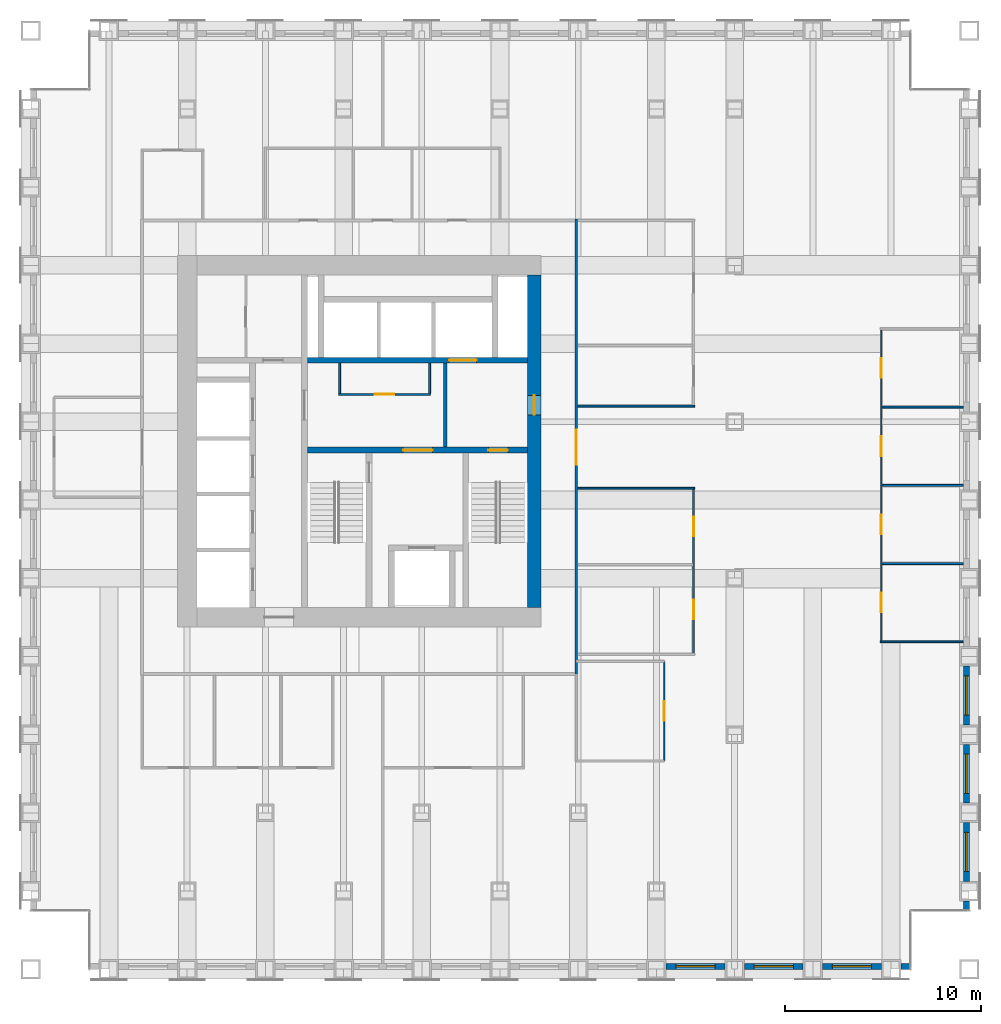
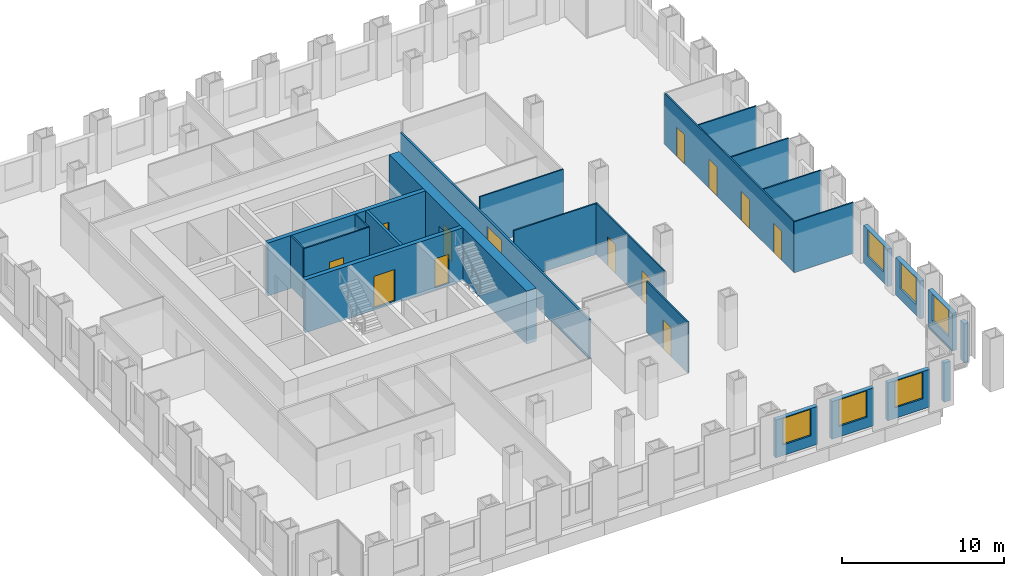
# One storey, part 12 of 16: 25 walls, 13 doors, 6 windows, 19 openings.
"""IFC4 building model written with IfcOpenShell, lengths in metres."""

import ifcopenshell
import ifcopenshell.guid

model = None  # the IFC model being written
_history = None  # IfcOwnerHistory: only IFC2X3 demands one
_inside = {}  # id of a spatial element -> (the spatial element, [elements in it])
_under = {}  # id of a project, library or spatial element -> (it, [spatial elements below it])
_declared = {}  # id of a project -> (the project, [libraries it declares])
_typed = {}  # id of a type object -> (the type object, [elements of that type])
_made_of = {}  # id of a material, layer set ... -> (it, [elements and type objects made of it])


def new_model(schema):
    """Start an empty IFC model of exactly this schema.

    Asked for "IFC4X3", IfcOpenShell would pick the latest addendum, in which some entities
    have other attributes; the version numbers below select the first issue.
    IFC2X3 requires an IfcOwnerHistory on every rooted entity: one is made here for all.
    """
    global model, _history
    if schema == "IFC4X3":
        model = ifcopenshell.file(schema_version=(4, 3, 0, 0))
    else:
        model = ifcopenshell.file(schema=schema)
    _inside.clear()
    _under.clear()
    _declared.clear()
    _typed.clear()
    _made_of.clear()
    _history = None
    if model.schema == "IFC2X3":
        org = make("IfcOrganization", Name="unknown")
        user = make(
            "IfcPersonAndOrganization",
            ThePerson=make("IfcPerson", FamilyName="unknown"),
            TheOrganization=org,
        )
        app = make(
            "IfcApplication",
            ApplicationDeveloper=org,
            Version="unknown",
            ApplicationFullName="unknown",
            ApplicationIdentifier="unknown",
        )
        _history = make(
            "IfcOwnerHistory",
            OwningUser=user,
            OwningApplication=app,
            ChangeAction="ADDED",
            CreationDate=0,
        )
    return model


def make(cls, **values):
    """One entity of the class cls with the attributes given. An attribute that is None is left unset."""
    return model.create_entity(
        cls, **{name: value for name, value in values.items() if value is not None}
    )


def rooted(cls, **values):
    """An entity with a GlobalId (a new one), such as an element, a storey or a relation."""
    return make(cls, GlobalId=ifcopenshell.guid.new(), OwnerHistory=_history, **values)


def si_unit(unit_type, name, prefix=None):
    """IfcSIUnit, for example si_unit("LENGTHUNIT", "METRE", prefix="MILLI")."""
    return make("IfcSIUnit", UnitType=unit_type, Prefix=prefix, Name=name)


def assignment(units):
    """IfcUnitAssignment: the units of a project."""
    return None if units is None else make("IfcUnitAssignment", Units=units)


def point(xyz):
    """IfcCartesianPoint."""
    return None if xyz is None else make("IfcCartesianPoint", Coordinates=xyz)


def direction(xyz):
    """IfcDirection."""
    return None if xyz is None else make("IfcDirection", DirectionRatios=xyz)


def frame(location, z_axis=None, x_axis=None):
    """IfcAxis2Placement3D, a coordinate frame: its origin and axes. An axis left out is left unset."""
    return make(
        "IfcAxis2Placement3D",
        Location=point(location),
        Axis=direction(z_axis),
        RefDirection=direction(x_axis),
    )


def frame_2d(location, x_axis=None):
    """IfcAxis2Placement2D, a coordinate frame in the plane: its origin and x axis."""
    return make(
        "IfcAxis2Placement2D", Location=point(location), RefDirection=direction(x_axis)
    )


def origin():
    """The frame at (0, 0, 0) with its axes left unset."""
    return frame((0.0, 0.0, 0.0))


def place(relative_to, where):
    """IfcLocalPlacement: puts the frame where relative to a parent placement (None: the world)."""
    return make(
        "IfcLocalPlacement", PlacementRelTo=relative_to, RelativePlacement=where
    )


def context(
    kind, dimensions, precision=None, world=None, true_north=None, identifier=None
):
    """IfcGeometricRepresentationContext, for example the 3D "Model" context."""
    return make(
        "IfcGeometricRepresentationContext",
        ContextIdentifier=identifier,
        ContextType=kind,
        CoordinateSpaceDimension=dimensions,
        Precision=precision,
        WorldCoordinateSystem=world,
        TrueNorth=true_north,
    )


def subcontext(parent, identifier, kind, view, scale=None):
    """IfcGeometricRepresentationSubContext, for example "Body" below "Model"."""
    return make(
        "IfcGeometricRepresentationSubContext",
        ContextIdentifier=identifier,
        ContextType=kind,
        ParentContext=parent,
        TargetScale=scale,
        TargetView=view,
    )


def project(units=None, contexts=None):
    """IfcProject with its units and contexts."""
    return rooted(
        "IfcProject",
        Name="project",
        RepresentationContexts=contexts,
        UnitsInContext=assignment(units),
    )


def spatial(cls, under=None, at=None, **own):
    """A site, building, storey or space (cls), placed at a placement, below another one or the project."""
    s = rooted(cls, ObjectPlacement=at, **own)
    if under is not None:
        _under.setdefault(under.id(), (under, []))[1].append(s)
    return s


def profile(cls, at=None, kind="AREA", **sizes):
    """A parametric profile (cls). Its sizes go by their IFC names, for example OverallWidth=200.0."""
    return make(cls, ProfileType=kind, Position=at, **sizes)


def rectangle(**sizes):
    """IfcRectangleProfileDef."""
    return profile("IfcRectangleProfileDef", **sizes)


def extrude(swept, where, along, depth):
    """IfcExtrudedAreaSolid: the profile swept, set in the frame where, extruded along a direction by depth."""
    return make(
        "IfcExtrudedAreaSolid",
        SweptArea=swept,
        Position=where,
        ExtrudedDirection=direction(along),
        Depth=depth,
    )


def shape(context_of_items, identifier, shape_type, items):
    """IfcShapeRepresentation: the items that make up one representation, for example the "Body"."""
    return make(
        "IfcShapeRepresentation",
        ContextOfItems=context_of_items,
        RepresentationIdentifier=identifier,
        RepresentationType=shape_type,
        Items=items,
    )


def material(Name=None, Category=None):
    """IfcMaterial."""
    return make("IfcMaterial", Name=Name, Category=Category)


def layer(
    of_material, thickness, ventilated=None, Name=None, Category=None, Priority=None
):
    """IfcMaterialLayer: one layer of a wall or slab, of a material (None: an air gap)."""
    return make(
        "IfcMaterialLayer",
        Material=of_material,
        LayerThickness=thickness,
        IsVentilated=ventilated,
        Name=Name,
        Category=Category,
        Priority=Priority,
    )


def layer_set(layers, Name=None):
    """IfcMaterialLayerSet."""
    return make("IfcMaterialLayerSet", MaterialLayers=layers, LayerSetName=Name)


def made_of(thing, what):
    """Note that an element or type object is made of a material, layer set ...; save() writes the relation."""
    if what is not None:
        _made_of.setdefault(what.id(), (what, []))[1].append(thing)
    return thing


def type_object(cls, material=None, **own):
    """A type object (cls), such as IfcWallType, which elements share."""
    return made_of(rooted(cls, **own), material)


def element(
    cls,
    number,
    at=None,
    inside=None,
    cuts=None,
    type_object=None,
    material=None,
    context=None,
    identifier="Body",
    shape_type=None,
    held_by="IfcProductDefinitionShape",
    body=None,
    shapes=None,
    **own,
):
    """One element of the class cls, such as IfcWall. Its Tag is "e" and its number.

    at: its placement. inside: the storey or other place that contains it. cuts: it is an
    opening in that element (IfcRelVoidsElement). A single representation is given by context,
    identifier, shape_type and body (its items); several are given by shapes. held_by: the class
    of the entity that holds the representations. save() writes the other relations.
    """
    e = rooted(cls, Tag="e%d" % number, ObjectPlacement=at, **own)
    if body is not None:
        shapes = [shape(context, identifier, shape_type, body)]
    if shapes is not None:
        e.Representation = make(held_by, Representations=shapes)
    if inside is not None:
        _inside.setdefault(inside.id(), (inside, []))[1].append(e)
    if cuts is not None:
        rooted(
            "IfcRelVoidsElement", RelatingBuildingElement=cuts, RelatedOpeningElement=e
        )
    if type_object is not None:
        _typed.setdefault(type_object.id(), (type_object, []))[1].append(e)
    return made_of(e, material)


def fill(opening, filler):
    """IfcRelFillsElement: the door or window that sits in an opening."""
    return rooted(
        "IfcRelFillsElement",
        RelatingOpeningElement=opening,
        RelatedBuildingElement=filler,
    )


def aggregate(whole, parts):
    """IfcRelAggregates: a whole, such as a stair, and the parts it consists of."""
    return rooted("IfcRelAggregates", RelatingObject=whole, RelatedObjects=parts)


def save(model, path):
    """Write the relations noted so far, then the file.

    IfcRelAggregates (storeys below a building ...), IfcRelContainedInSpatialStructure (elements
    in a storey), IfcRelDefinesByType, IfcRelAssociatesMaterial and IfcRelDeclares: one each for
    every whole, place, type object, material and project.
    """
    for whole, parts in _under.values():
        aggregate(whole, parts)
    for where, things in _inside.values():
        rooted(
            "IfcRelContainedInSpatialStructure",
            RelatedElements=things,
            RelatingStructure=where,
        )
    for kind, things in _typed.values():
        rooted("IfcRelDefinesByType", RelatedObjects=things, RelatingType=kind)
    for what, things in _made_of.values():
        rooted("IfcRelAssociatesMaterial", RelatedObjects=things, RelatingMaterial=what)
    for by, libraries in _declared.values():
        rooted("IfcRelDeclares", RelatingContext=by, RelatedDefinitions=libraries)
    model.write(path)


model = new_model("IFC4")

# Units and contexts
model_context = context("Model", 3, precision=1e-05, world=origin(), true_north=direction((0.0, 1.0)))
body_context = subcontext(model_context, "Body", "Model", "MODEL_VIEW")
ifc_project = project(units=[si_unit("LENGTHUNIT", "METRE"), si_unit("AREAUNIT", "SQUARE_METRE"), si_unit("VOLUMEUNIT", "CUBIC_METRE"), si_unit("PLANEANGLEUNIT", "RADIAN"), si_unit("MASSUNIT", "GRAM", prefix="KILO")], contexts=[model_context])

# Site, building, storey
site_placement = place(None, origin())
site = spatial("IfcSite", under=ifc_project, at=site_placement, CompositionType="ELEMENT")
building_placement = place(site_placement, origin())
building = spatial("IfcBuilding", under=site, at=building_placement, Name="Rimbunsela Tower", CompositionType="ELEMENT")
storey_placement = place(building_placement, frame((0.0, 0.0, 81.39990234375)))
storey = spatial("IfcBuildingStorey", under=building, at=storey_placement, Name="L19", CompositionType="ELEMENT", Elevation=81.39990234375)

# Wall, openings, doors
ifc_material_1 = material(Name="Concrete fc' 80 MPa", Category="concrete")
ifc_layer_1 = layer(ifc_material_1, 0.300048828125)
ifc_layer_set_1 = layer_set([ifc_layer_1], Name="Core internal wall 300")
wall_type_1 = type_object("IfcWallType", Name="Core internal wall 300", PredefinedType="SHEAR", material=ifc_layer_set_1)
wall_1_placement = place(storey_placement, frame((24.14990234375, 26.550048828125, -0.14990234375), z_axis=(0.0, 0.0, 1.0), x_axis=(1.0, 0.0, 0.0)))
wall_1 = element("IfcWall", 1, at=wall_1_placement, inside=storey, type_object=wall_type_1, Name="Core wall lobby south", PredefinedType="SHEAR", context=body_context, shape_type="SweptSolid", body=[
    extrude(rectangle(XDim=11.25, YDim=0.300048828125, at=frame_2d((5.625, 0.0))), origin(), (0.0, 0.0, 1.0), 4.0),
])
opening_1_placement = place(wall_1_placement, frame((9.25, 0.0, 0.14990234375)))
opening_1 = element("IfcOpeningElement", 2, at=opening_1_placement, cuts=wall_1, Name="Opening D01", PredefinedType="OPENING", context=body_context, shape_type="SweptSolid", body=[
    extrude(rectangle(XDim=1.0, YDim=2.199951171875, at=frame_2d((0.5, 1.10009765625))), frame((0.0, 0.159912109375, 0.0), z_axis=(0.0, -1.0, 0.0), x_axis=(1.0, 0.0, 0.0)), (0.0, 0.0, 1.0), 0.320068359375),
])
opening_2_placement = place(wall_1_placement, frame((4.89990234375, 0.0, 0.14990234375)))
opening_2 = element("IfcOpeningElement", 3, at=opening_2_placement, cuts=wall_1, Name="Opening D03", PredefinedType="OPENING", context=body_context, shape_type="SweptSolid", body=[
    extrude(rectangle(XDim=1.5, YDim=2.39990234375, at=frame_2d((0.75, 1.199951171875))), frame((0.0, 0.159912109375, 0.0), z_axis=(0.0, -1.0, 0.0), x_axis=(1.0, 0.0, 0.0)), (0.0, 0.0, 1.0), 0.320068359375),
])
ifc_material_2 = material(Name="Steel door, fire rated", Category="steel")
door_type_1 = type_object("IfcDoorType", Name="Core lobby door 1500", OperationType="DOUBLE_DOOR_DOUBLE_SWING", PredefinedType="DOOR", material=ifc_material_2)
door_1_placement = place(opening_2_placement, origin())
door_1 = element("IfcDoor", 4, at=door_1_placement, inside=storey, type_object=door_type_1, Name="Firefighting lobby door", OperationType="DOUBLE_DOOR_DOUBLE_SWING", OverallHeight=2.39990234375, OverallWidth=1.5, PredefinedType="DOOR", context=body_context, shape_type="SweptSolid", body=[
    extrude(rectangle(XDim=1.5, YDim=2.39990234375, at=frame_2d((0.75, 1.199951171875))), frame((0.0, 0.02490234375, 0.0), z_axis=(0.0, -1.0, 0.0), x_axis=(1.0, 0.0, 0.0)), (0.0, 0.0, 1.0), 0.050048828125),
])
fill(opening_2, door_1)
ifc_material_3 = material(Name="Steel door, fire rated", Category="steel")
door_type_2 = type_object("IfcDoorType", Name="Stair door 1000", OperationType="SINGLE_SWING_RIGHT", PredefinedType="DOOR", material=ifc_material_3)
door_2_placement = place(opening_1_placement, frame((1.0, 0.0, 0.0), z_axis=(0.0, 0.0, 1.0), x_axis=(-1.0, 0.0, 0.0)))
door_2 = element("IfcDoor", 5, at=door_2_placement, inside=storey, type_object=door_type_2, Name="Stair B door", OperationType="SINGLE_SWING_RIGHT", OverallHeight=2.199951171875, OverallWidth=1.0, PredefinedType="DOOR", context=body_context, shape_type="SweptSolid", body=[
    extrude(rectangle(XDim=1.0, YDim=2.199951171875, at=frame_2d((0.5, 1.10009765625))), frame((0.0, 0.02490234375, 0.0), z_axis=(0.0, -1.0, 0.0), x_axis=(1.0, 0.0, 0.0)), (0.0, 0.0, 1.0), 0.050048828125),
])
fill(opening_1, door_2)

# Wall, opening, door
wall_2_placement = place(storey_placement, frame((24.14990234375, 31.14990234375, -0.14990234375), z_axis=(0.0, 0.0, 1.0), x_axis=(1.0, 0.0, 0.0)))
wall_2 = element("IfcWall", 6, at=wall_2_placement, inside=storey, type_object=wall_type_1, Name="Lift shaft front north", PredefinedType="SHEAR", context=body_context, shape_type="SweptSolid", body=[
    extrude(rectangle(XDim=11.25, YDim=0.300048828125, at=frame_2d((5.625, 0.0))), origin(), (0.0, 0.0, 1.0), 4.0),
])
opening_3_placement = place(wall_2_placement, frame((7.25, 0.0, 0.14990234375)))
opening_3 = element("IfcOpeningElement", 7, at=opening_3_placement, cuts=wall_2, Name="Opening LD3", PredefinedType="OPENING", context=body_context, shape_type="SweptSolid", body=[
    extrude(rectangle(XDim=1.39990234375, YDim=2.39990234375, at=frame_2d((0.699951171875, 1.199951171875))), frame((0.0, 0.159912109375, 0.0), z_axis=(0.0, -1.0, 0.0), x_axis=(1.0, 0.0, 0.0)), (0.0, 0.0, 1.0), 0.320068359375),
])
ifc_material_4 = material(Name="Steel door, fire rated", Category="steel")
door_type_3 = type_object("IfcDoorType", Name="Lift landing door 1400", OperationType="DOUBLE_DOOR_SLIDING", PredefinedType="DOOR", material=ifc_material_4)
door_3_placement = place(opening_3_placement, origin())
door_3 = element("IfcDoor", 8, at=door_3_placement, inside=storey, type_object=door_type_3, Name="Lift landing door FL2", OperationType="DOUBLE_DOOR_SLIDING", OverallHeight=2.39990234375, OverallWidth=1.39990234375, PredefinedType="DOOR", context=body_context, shape_type="SweptSolid", body=[
    extrude(rectangle(XDim=1.39990234375, YDim=2.39990234375, at=frame_2d((0.699951171875, 1.199951171875))), frame((0.0, 0.02490234375, 0.0), z_axis=(0.0, -1.0, 0.0), x_axis=(1.0, 0.0, 0.0)), (0.0, 0.0, 1.0), 0.050048828125),
])
fill(opening_3, door_3)

ifc_material_5 = material(Name="Concrete blockwork", Category="masonry")
ifc_layer_2 = layer(ifc_material_5, 0.10009765625)
ifc_layer_set_2 = layer_set([ifc_layer_2], Name="Core room partition 100")
wall_type_2 = type_object("IfcWallType", Name="Core room partition 100", PredefinedType="PARTITIONING", material=ifc_layer_set_2)
wall_3_placement = place(storey_placement, frame((25.75, 29.39990234375, 0.0), z_axis=(0.0, 0.0, 1.0), x_axis=(1.0, 0.0, 0.0)))
wall_3 = element("IfcWall", 9, at=wall_3_placement, inside=storey, type_object=wall_type_2, Name="Lobby room wall", PredefinedType="PARTITIONING", context=body_context, shape_type="SweptSolid", body=[
    extrude(rectangle(XDim=4.699951171875, YDim=0.10009765625, at=frame_2d((2.35009765625, 0.0))), origin(), (0.0, 0.0, 1.0), 3.85009765625),
])
opening_4_placement = place(wall_3_placement, frame((1.85009765625, 0.0, 0.0)))
opening_4 = element("IfcOpeningElement", 10, at=opening_4_placement, cuts=wall_3, Name="Opening D19", PredefinedType="OPENING", context=body_context, shape_type="SweptSolid", body=[
    extrude(rectangle(XDim=1.0, YDim=2.199951171875, at=frame_2d((0.5, 1.10009765625))), frame((0.0, 0.06005859375, 0.0), z_axis=(0.0, -1.0, 0.0), x_axis=(1.0, 0.0, 0.0)), (0.0, 0.0, 1.0), 0.1201171875),
])
ifc_material_6 = material(Name="Steel door, fire rated", Category="steel")
door_type_4 = type_object("IfcDoorType", Name="Service door 1000 fire rated", OperationType="SINGLE_SWING_LEFT", PredefinedType="DOOR", material=ifc_material_6)
door_4_placement = place(opening_4_placement, origin())
door_4 = element("IfcDoor", 11, at=door_4_placement, inside=storey, type_object=door_type_4, Name="Staff pantry door", OperationType="SINGLE_SWING_LEFT", OverallHeight=2.199951171875, OverallWidth=1.0, PredefinedType="DOOR", context=body_context, shape_type="SweptSolid", body=[
    extrude(rectangle(XDim=1.0, YDim=2.199951171875, at=frame_2d((0.5, 1.10009765625))), frame((0.0, 0.02490234375, 0.0), z_axis=(0.0, -1.0, 0.0), x_axis=(1.0, 0.0, 0.0)), (0.0, 0.0, 1.0), 0.050048828125),
])
fill(opening_4, door_4)

# Walls
for number, where, z_axis, x_axis, name in (
    (12, (25.800048828125, 29.449951171875, 0.0), (0.0, 0.0, 1.0), (0.0, 1.0, 0.0), "Lobby room wall"),
    (13, (30.39990234375, 29.449951171875, 0.0), (0.0, 0.0, 1.0), (0.0, 1.0, 0.0), "Lobby room wall"),
):
    element("IfcWall", number, at=place(storey_placement, frame(where, z_axis=z_axis, x_axis=x_axis)), inside=storey, type_object=wall_type_2, Name=name, PredefinedType="PARTITIONING", context=body_context, shape_type="SweptSolid", body=[
        extrude(rectangle(XDim=1.550048828125, YDim=0.10009765625, at=frame_2d((0.77490234375, 0.0))), origin(), (0.0, 0.0, 1.0), 3.85009765625),
    ])

# Wall, opening, door
ifc_material_7 = material(Name="Concrete fc' 80 MPa", Category="concrete")
ifc_layer_3 = layer(ifc_material_7, 0.699951171875)
ifc_layer_set_3 = layer_set([ifc_layer_3], Name="Core wall 700 east")
wall_type_3 = type_object("IfcWallType", Name="Core wall 700 east", PredefinedType="SHEAR", material=ifc_layer_set_3)
wall_4_placement = place(storey_placement, frame((35.75, 18.5, -0.14990234375), z_axis=(0.0, 0.0, 1.0), x_axis=(0.0, 1.0, 0.0)))
wall_4 = element("IfcWall", 14, at=wall_4_placement, inside=storey, type_object=wall_type_3, Name="Core wall east", PredefinedType="SHEAR", context=body_context, shape_type="SweptSolid", body=[
    extrude(rectangle(XDim=17.0, YDim=0.699951171875, at=frame_2d((8.5, 0.0))), origin(), (0.0, 0.0, 1.0), 4.0),
])
opening_5_placement = place(wall_4_placement, frame((9.85009765625, 0.0, 0.14990234375)))
opening_5 = element("IfcOpeningElement", 15, at=opening_5_placement, cuts=wall_4, Name="Opening D01", PredefinedType="OPENING", context=body_context, shape_type="SweptSolid", body=[
    extrude(rectangle(XDim=1.0, YDim=2.199951171875, at=frame_2d((0.5, 1.10009765625))), frame((0.0, 0.35986328125, 0.0), z_axis=(0.0, -1.0, 0.0), x_axis=(1.0, 0.0, 0.0)), (0.0, 0.0, 1.0), 0.719970703125),
])
door_5_placement = place(opening_5_placement, origin())
door_5 = element("IfcDoor", 16, at=door_5_placement, inside=storey, type_object=door_type_2, Name="Firefighting lobby 2 door", OperationType="SINGLE_SWING_RIGHT", OverallHeight=2.199951171875, OverallWidth=1.0, PredefinedType="DOOR", context=body_context, shape_type="SweptSolid", body=[
    extrude(rectangle(XDim=1.0, YDim=2.199951171875, at=frame_2d((0.5, 1.10009765625))), frame((0.0, 0.02490234375, 0.0), z_axis=(0.0, -1.0, 0.0), x_axis=(1.0, 0.0, 0.0)), (0.0, 0.0, 1.0), 0.050048828125),
])
fill(opening_5, door_5)

# Walls
ifc_material_8 = material(Name="Concrete blockwork", Category="masonry")
ifc_layer_4 = layer(ifc_material_8, 0.199951171875)
ifc_layer_set_4 = layer_set([ifc_layer_4], Name="Lift shaft wall 200")
wall_type_4 = type_object("IfcWallType", Name="Lift shaft wall 200", PredefinedType="SOLIDWALL", material=ifc_layer_set_4)
wall_5_placement = place(storey_placement, frame((31.199951171875, 26.699951171875, 0.0), z_axis=(0.0, 0.0, 1.0), x_axis=(0.0, 1.0, 0.0)))
element("IfcWall", 17, at=wall_5_placement, inside=storey, type_object=wall_type_4, Name="Firefighting lobby 2 wall", PredefinedType="SOLIDWALL", context=body_context, shape_type="SweptSolid", body=[
    extrude(rectangle(XDim=4.300048828125, YDim=0.199951171875, at=frame_2d((2.14990234375, 0.0))), origin(), (0.0, 0.0, 1.0), 3.85009765625),
])
ifc_material_9 = material(Name="Gypsum board on steel studs", Category="steel")
ifc_layer_5 = layer(ifc_material_9, 0.10009765625)
ifc_layer_set_5 = layer_set([ifc_layer_5], Name="Office partition 100")
wall_type_5 = type_object("IfcWallType", Name="Office partition 100", PredefinedType="PARTITIONING", material=ifc_layer_set_5)
wall_6_placement = place(storey_placement, frame((53.449951171875, 16.75, 0.0), z_axis=(0.0, 0.0, 1.0), x_axis=(1.0, 0.0, 0.0)))
element("IfcWall", 18, at=wall_6_placement, inside=storey, type_object=wall_type_5, Name="Office partition", PredefinedType="PARTITIONING", context=body_context, shape_type="SweptSolid", body=[
    extrude(rectangle(XDim=4.25, YDim=0.10009765625, at=frame_2d((2.125, 0.0))), origin(), (0.0, 0.0, 1.0), 3.85009765625),
])
wall_7_placement = place(storey_placement, frame((53.550048828125, 20.75, 0.0), z_axis=(0.0, 0.0, 1.0), x_axis=(1.0, 0.0, 0.0)))
element("IfcWall", 19, at=wall_7_placement, inside=storey, type_object=wall_type_5, Name="Office partition", PredefinedType="PARTITIONING", context=body_context, shape_type="SweptSolid", body=[
    extrude(rectangle(XDim=4.14990234375, YDim=0.10009765625, at=frame_2d((2.074951171875, 0.0))), origin(), (0.0, 0.0, 1.0), 3.85009765625),
])
wall_8_placement = place(storey_placement, frame((37.97509765625, 24.60009765625, 0.0), z_axis=(0.0, 0.0, 1.0), x_axis=(1.0, 0.0, 0.0)))
element("IfcWall", 20, at=wall_8_placement, inside=storey, type_object=wall_type_5, Name="Office partition", PredefinedType="PARTITIONING", context=body_context, shape_type="SweptSolid", body=[
    extrude(rectangle(XDim=5.974853515625, YDim=0.10009765625, at=frame_2d((2.9873046875, 0.0))), origin(), (0.0, 0.0, 1.0), 3.85009765625),
])
for number, where, z_axis, x_axis, name in (
    (21, (53.550048828125, 24.75, 0.0), (0.0, 0.0, 1.0), (1.0, 0.0, 0.0), "Office partition"),
    (22, (53.550048828125, 28.75, 0.0), (0.0, 0.0, 1.0), (1.0, 0.0, 0.0), "Office partition"),
):
    element("IfcWall", number, at=place(storey_placement, frame(where, z_axis=z_axis, x_axis=x_axis)), inside=storey, type_object=wall_type_5, Name=name, PredefinedType="PARTITIONING", context=body_context, shape_type="SweptSolid", body=[
        extrude(rectangle(XDim=4.14990234375, YDim=0.10009765625, at=frame_2d((2.074951171875, 0.0))), origin(), (0.0, 0.0, 1.0), 3.85009765625),
    ])
wall_9_placement = place(storey_placement, frame((37.97509765625, 28.800048828125, 0.0), z_axis=(0.0, 0.0, 1.0), x_axis=(1.0, 0.0, 0.0)))
element("IfcWall", 23, at=wall_9_placement, inside=storey, type_object=wall_type_5, Name="Office partition", PredefinedType="PARTITIONING", context=body_context, shape_type="SweptSolid", body=[
    extrude(rectangle(XDim=5.974853515625, YDim=0.10009765625, at=frame_2d((2.9873046875, 0.0))), origin(), (0.0, 0.0, 1.0), 3.85009765625),
])

# Wall, openings, doors
wall_10_placement = place(storey_placement, frame((43.89990234375, 16.14990234375, 0.0), z_axis=(0.0, 0.0, 1.0), x_axis=(0.0, 1.0, 0.0)))
wall_10 = element("IfcWall", 24, at=wall_10_placement, inside=storey, type_object=wall_type_5, Name="Office partition", PredefinedType="PARTITIONING", context=body_context, shape_type="SweptSolid", body=[
    extrude(rectangle(XDim=8.400146484375, YDim=0.10009765625, at=frame_2d((4.2001953125, 0.0))), origin(), (0.0, 0.0, 1.0), 3.85009765625),
])
opening_6_placement = place(wall_10_placement, frame((1.75, 0.0, 0.0)))
opening_6 = element("IfcOpeningElement", 25, at=opening_6_placement, cuts=wall_10, Name="Opening D16", PredefinedType="OPENING", context=body_context, shape_type="SweptSolid", body=[
    extrude(rectangle(XDim=1.0, YDim=2.199951171875, at=frame_2d((0.5, 1.10009765625))), frame((0.0, 0.06005859375, 0.0), z_axis=(0.0, -1.0, 0.0), x_axis=(1.0, 0.0, 0.0)), (0.0, 0.0, 1.0), 0.1201171875),
])
opening_7_placement = place(wall_10_placement, frame((6.0, 0.0, 0.0)))
opening_7 = element("IfcOpeningElement", 26, at=opening_7_placement, cuts=wall_10, Name="Opening D16", PredefinedType="OPENING", context=body_context, shape_type="SweptSolid", body=[
    extrude(rectangle(XDim=1.0, YDim=2.199951171875, at=frame_2d((0.5, 1.10009765625))), frame((0.0, 0.06005859375, 0.0), z_axis=(0.0, -1.0, 0.0), x_axis=(1.0, 0.0, 0.0)), (0.0, 0.0, 1.0), 0.1201171875),
])
ifc_material_10 = material(Name="Timber door", Category="wood")
door_type_5 = type_object("IfcDoorType", Name="Office door 1000", OperationType="SINGLE_SWING_LEFT", PredefinedType="DOOR", material=ifc_material_10)
door_6_placement = place(opening_6_placement, origin())
door_6 = element("IfcDoor", 27, at=door_6_placement, inside=storey, type_object=door_type_5, Name="Office door", OperationType="SINGLE_SWING_LEFT", OverallHeight=2.199951171875, OverallWidth=1.0, PredefinedType="DOOR", context=body_context, shape_type="SweptSolid", body=[
    extrude(rectangle(XDim=1.0, YDim=2.199951171875, at=frame_2d((0.5, 1.10009765625))), frame((0.0, 0.02490234375, 0.0), z_axis=(0.0, -1.0, 0.0), x_axis=(1.0, 0.0, 0.0)), (0.0, 0.0, 1.0), 0.050048828125),
])
fill(opening_6, door_6)
door_7_placement = place(opening_7_placement, origin())
door_7 = element("IfcDoor", 28, at=door_7_placement, inside=storey, type_object=door_type_5, Name="Office door", OperationType="SINGLE_SWING_LEFT", OverallHeight=2.199951171875, OverallWidth=1.0, PredefinedType="DOOR", context=body_context, shape_type="SweptSolid", body=[
    extrude(rectangle(XDim=1.0, YDim=2.199951171875, at=frame_2d((0.5, 1.10009765625))), frame((0.0, 0.02490234375, 0.0), z_axis=(0.0, -1.0, 0.0), x_axis=(1.0, 0.0, 0.0)), (0.0, 0.0, 1.0), 0.050048828125),
])
fill(opening_7, door_7)

wall_11_placement = place(storey_placement, frame((53.5, 16.800048828125, 0.0), z_axis=(0.0, 0.0, 1.0), x_axis=(0.0, 1.0, 0.0)))
wall_11 = element("IfcWall", 29, at=wall_11_placement, inside=storey, type_object=wall_type_5, Name="Office partition", PredefinedType="PARTITIONING", context=body_context, shape_type="SweptSolid", body=[
    extrude(rectangle(XDim=15.89990234375, YDim=0.10009765625, at=frame_2d((7.949951171875, 0.0))), origin(), (0.0, 0.0, 1.0), 3.85009765625),
])
opening_8_placement = place(wall_11_placement, frame((1.449951171875, 0.0, 0.0)))
opening_8 = element("IfcOpeningElement", 30, at=opening_8_placement, cuts=wall_11, Name="Opening D16", PredefinedType="OPENING", context=body_context, shape_type="SweptSolid", body=[
    extrude(rectangle(XDim=1.0, YDim=2.199951171875, at=frame_2d((0.5, 1.10009765625))), frame((0.0, 0.06005859375, 0.0), z_axis=(0.0, -1.0, 0.0), x_axis=(1.0, 0.0, 0.0)), (0.0, 0.0, 1.0), 0.1201171875),
])
opening_9_placement = place(wall_11_placement, frame((5.449951171875, 0.0, 0.0)))
opening_9 = element("IfcOpeningElement", 31, at=opening_9_placement, cuts=wall_11, Name="Opening D16", PredefinedType="OPENING", context=body_context, shape_type="SweptSolid", body=[
    extrude(rectangle(XDim=1.0, YDim=2.199951171875, at=frame_2d((0.5, 1.10009765625))), frame((0.0, 0.06005859375, 0.0), z_axis=(0.0, -1.0, 0.0), x_axis=(1.0, 0.0, 0.0)), (0.0, 0.0, 1.0), 0.1201171875),
])
opening_10_placement = place(wall_11_placement, frame((9.449951171875, 0.0, 0.0)))
opening_10 = element("IfcOpeningElement", 32, at=opening_10_placement, cuts=wall_11, Name="Opening D16", PredefinedType="OPENING", context=body_context, shape_type="SweptSolid", body=[
    extrude(rectangle(XDim=1.0, YDim=2.199951171875, at=frame_2d((0.5, 1.10009765625))), frame((0.0, 0.06005859375, 0.0), z_axis=(0.0, -1.0, 0.0), x_axis=(1.0, 0.0, 0.0)), (0.0, 0.0, 1.0), 0.1201171875),
])
opening_11_placement = place(wall_11_placement, frame((13.449951171875, 0.0, 0.0)))
opening_11 = element("IfcOpeningElement", 33, at=opening_11_placement, cuts=wall_11, Name="Opening D16", PredefinedType="OPENING", context=body_context, shape_type="SweptSolid", body=[
    extrude(rectangle(XDim=1.0, YDim=2.199951171875, at=frame_2d((0.5, 1.10009765625))), frame((0.0, 0.06005859375, 0.0), z_axis=(0.0, -1.0, 0.0), x_axis=(1.0, 0.0, 0.0)), (0.0, 0.0, 1.0), 0.1201171875),
])
door_8_placement = place(opening_8_placement, origin())
door_8 = element("IfcDoor", 34, at=door_8_placement, inside=storey, type_object=door_type_5, Name="Office door", OperationType="SINGLE_SWING_LEFT", OverallHeight=2.199951171875, OverallWidth=1.0, PredefinedType="DOOR", context=body_context, shape_type="SweptSolid", body=[
    extrude(rectangle(XDim=1.0, YDim=2.199951171875, at=frame_2d((0.5, 1.10009765625))), frame((0.0, 0.02490234375, 0.0), z_axis=(0.0, -1.0, 0.0), x_axis=(1.0, 0.0, 0.0)), (0.0, 0.0, 1.0), 0.050048828125),
])
fill(opening_8, door_8)
door_9_placement = place(opening_9_placement, origin())
door_9 = element("IfcDoor", 35, at=door_9_placement, inside=storey, type_object=door_type_5, Name="Office door", OperationType="SINGLE_SWING_LEFT", OverallHeight=2.199951171875, OverallWidth=1.0, PredefinedType="DOOR", context=body_context, shape_type="SweptSolid", body=[
    extrude(rectangle(XDim=1.0, YDim=2.199951171875, at=frame_2d((0.5, 1.10009765625))), frame((0.0, 0.02490234375, 0.0), z_axis=(0.0, -1.0, 0.0), x_axis=(1.0, 0.0, 0.0)), (0.0, 0.0, 1.0), 0.050048828125),
])
fill(opening_9, door_9)
door_10_placement = place(opening_10_placement, origin())
door_10 = element("IfcDoor", 36, at=door_10_placement, inside=storey, type_object=door_type_5, Name="Office door", OperationType="SINGLE_SWING_LEFT", OverallHeight=2.199951171875, OverallWidth=1.0, PredefinedType="DOOR", context=body_context, shape_type="SweptSolid", body=[
    extrude(rectangle(XDim=1.0, YDim=2.199951171875, at=frame_2d((0.5, 1.10009765625))), frame((0.0, 0.02490234375, 0.0), z_axis=(0.0, -1.0, 0.0), x_axis=(1.0, 0.0, 0.0)), (0.0, 0.0, 1.0), 0.050048828125),
])
fill(opening_10, door_10)
door_11_placement = place(opening_11_placement, origin())
door_11 = element("IfcDoor", 37, at=door_11_placement, inside=storey, type_object=door_type_5, Name="Office door", OperationType="SINGLE_SWING_LEFT", OverallHeight=2.199951171875, OverallWidth=1.0, PredefinedType="DOOR", context=body_context, shape_type="SweptSolid", body=[
    extrude(rectangle(XDim=1.0, YDim=2.199951171875, at=frame_2d((0.5, 1.10009765625))), frame((0.0, 0.02490234375, 0.0), z_axis=(0.0, -1.0, 0.0), x_axis=(1.0, 0.0, 0.0)), (0.0, 0.0, 1.0), 0.050048828125),
])
fill(opening_11, door_11)

# Wall, opening, door
wall_12_placement = place(storey_placement, frame((42.39990234375, 10.64990234375, 0.0), z_axis=(0.0, 0.0, 1.0), x_axis=(0.0, 1.0, 0.0)))
wall_12 = element("IfcWall", 38, at=wall_12_placement, inside=storey, type_object=wall_type_5, Name="Office partition", PredefinedType="PARTITIONING", context=body_context, shape_type="SweptSolid", body=[
    extrude(rectangle(XDim=5.10009765625, YDim=0.10009765625, at=frame_2d((2.550048828125, 0.0))), origin(), (0.0, 0.0, 1.0), 3.85009765625),
])
opening_12_placement = place(wall_12_placement, frame((2.050048828125, 0.0, 0.0)))
opening_12 = element("IfcOpeningElement", 39, at=opening_12_placement, cuts=wall_12, Name="Opening D17", PredefinedType="OPENING", context=body_context, shape_type="SweptSolid", body=[
    extrude(rectangle(XDim=1.0, YDim=2.199951171875, at=frame_2d((0.5, 1.10009765625))), frame((0.0, 0.06005859375, 0.0), z_axis=(0.0, -1.0, 0.0), x_axis=(1.0, 0.0, 0.0)), (0.0, 0.0, 1.0), 0.1201171875),
])
ifc_material_11 = material(Name="Glazed aluminium door", Category="aluminium")
door_type_6 = type_object("IfcDoorType", Name="Meeting room door 1000 glazed", OperationType="SINGLE_SWING_RIGHT", PredefinedType="DOOR", material=ifc_material_11)
door_12_placement = place(opening_12_placement, origin())
door_12 = element("IfcDoor", 40, at=door_12_placement, inside=storey, type_object=door_type_6, Name="Reception door", OperationType="SINGLE_SWING_RIGHT", OverallHeight=2.199951171875, OverallWidth=1.0, PredefinedType="DOOR", context=body_context, shape_type="SweptSolid", body=[
    extrude(rectangle(XDim=1.0, YDim=2.199951171875, at=frame_2d((0.5, 1.10009765625))), frame((0.0, 0.02490234375, 0.0), z_axis=(0.0, -1.0, 0.0), x_axis=(1.0, 0.0, 0.0)), (0.0, 0.0, 1.0), 0.050048828125),
])
fill(opening_12, door_12)

# Wall, opening, window
ifc_material_12 = material(Name="Precast concrete fc' 35 MPa", Category="concrete")
ifc_layer_6 = layer(ifc_material_12, 0.300048828125)
ifc_layer_set_6 = layer_set([ifc_layer_6], Name="Precast concrete fc' 35 MPa")
wall_type_6 = type_object("IfcWallType", Name="Precast facade panel 300", PredefinedType="ELEMENTEDWALL", material=ifc_layer_set_6)
wall_13_placement = place(storey_placement, frame((42.5, 0.14990234375, 0.0), z_axis=(0.0, 0.0, 1.0), x_axis=(1.0, 0.0, 0.0)))
wall_13 = element("IfcWall", 41, at=wall_13_placement, inside=storey, type_object=wall_type_6, Name="Facade panel S L19", PredefinedType="ELEMENTEDWALL", context=body_context, shape_type="SweptSolid", body=[
    extrude(rectangle(XDim=3.0, YDim=0.300048828125, at=frame_2d((1.5, 0.0))), origin(), (0.0, 0.0, 1.0), 2.85009765625),
])
opening_13_placement = place(wall_13_placement, frame((0.5, 0.0, 0.800048828125)))
opening_13 = element("IfcOpeningElement", 42, at=opening_13_placement, cuts=wall_13, Name="Opening W1", PredefinedType="OPENING", context=body_context, shape_type="SweptSolid", body=[
    extrude(rectangle(XDim=2.0, YDim=2.0, at=frame_2d((1.0, 1.0))), frame((0.0, 0.159912109375, 0.0), z_axis=(0.0, -1.0, 0.0), x_axis=(1.0, 0.0, 0.0)), (0.0, 0.0, 1.0), 0.320068359375),
])
ifc_material_13 = material(Name="Clear glass in aluminium frame", Category="aluminium")
window_type = type_object("IfcWindowType", Name="Window W1 2000x2000", PartitioningType="DOUBLE_PANEL_VERTICAL", PredefinedType="WINDOW", material=ifc_material_13)
window_1_placement = place(opening_13_placement, origin())
window_1 = element("IfcWindow", 43, at=window_1_placement, inside=storey, type_object=window_type, Name="Window L19", OverallHeight=2.0, OverallWidth=2.0, PartitioningType="SINGLE_PANEL", PredefinedType="WINDOW", context=body_context, shape_type="SweptSolid", body=[
    extrude(rectangle(XDim=2.0, YDim=2.0, at=frame_2d((1.0, 1.0))), frame((0.0, 0.030029296875, 0.0), z_axis=(0.0, -1.0, 0.0), x_axis=(1.0, 0.0, 0.0)), (0.0, 0.0, 1.0), 0.06005859375),
])
fill(opening_13, window_1)

wall_14_placement = place(storey_placement, frame((46.5, 0.14990234375, 0.0), z_axis=(0.0, 0.0, 1.0), x_axis=(1.0, 0.0, 0.0)))
wall_14 = element("IfcWall", 44, at=wall_14_placement, inside=storey, type_object=wall_type_6, Name="Facade panel S L19", PredefinedType="ELEMENTEDWALL", context=body_context, shape_type="SweptSolid", body=[
    extrude(rectangle(XDim=3.0, YDim=0.300048828125, at=frame_2d((1.5, 0.0))), origin(), (0.0, 0.0, 1.0), 2.85009765625),
])
opening_14_placement = place(wall_14_placement, frame((0.5, 0.0, 0.800048828125)))
opening_14 = element("IfcOpeningElement", 45, at=opening_14_placement, cuts=wall_14, Name="Opening W1", PredefinedType="OPENING", context=body_context, shape_type="SweptSolid", body=[
    extrude(rectangle(XDim=2.0, YDim=2.0, at=frame_2d((1.0, 1.0))), frame((0.0, 0.159912109375, 0.0), z_axis=(0.0, -1.0, 0.0), x_axis=(1.0, 0.0, 0.0)), (0.0, 0.0, 1.0), 0.320068359375),
])
window_2_placement = place(opening_14_placement, origin())
window_2 = element("IfcWindow", 46, at=window_2_placement, inside=storey, type_object=window_type, Name="Window L19", OverallHeight=2.0, OverallWidth=2.0, PartitioningType="SINGLE_PANEL", PredefinedType="WINDOW", context=body_context, shape_type="SweptSolid", body=[
    extrude(rectangle(XDim=2.0, YDim=2.0, at=frame_2d((1.0, 1.0))), frame((0.0, 0.030029296875, 0.0), z_axis=(0.0, -1.0, 0.0), x_axis=(1.0, 0.0, 0.0)), (0.0, 0.0, 1.0), 0.06005859375),
])
fill(opening_14, window_2)

wall_15_placement = place(storey_placement, frame((50.5, 0.14990234375, 0.0), z_axis=(0.0, 0.0, 1.0), x_axis=(1.0, 0.0, 0.0)))
wall_15 = element("IfcWall", 47, at=wall_15_placement, inside=storey, type_object=wall_type_6, Name="Facade panel S L19", PredefinedType="ELEMENTEDWALL", context=body_context, shape_type="SweptSolid", body=[
    extrude(rectangle(XDim=3.0, YDim=0.300048828125, at=frame_2d((1.5, 0.0))), origin(), (0.0, 0.0, 1.0), 2.85009765625),
])
opening_15_placement = place(wall_15_placement, frame((0.5, 0.0, 0.800048828125)))
opening_15 = element("IfcOpeningElement", 48, at=opening_15_placement, cuts=wall_15, Name="Opening W1", PredefinedType="OPENING", context=body_context, shape_type="SweptSolid", body=[
    extrude(rectangle(XDim=2.0, YDim=2.0, at=frame_2d((1.0, 1.0))), frame((0.0, 0.159912109375, 0.0), z_axis=(0.0, -1.0, 0.0), x_axis=(1.0, 0.0, 0.0)), (0.0, 0.0, 1.0), 0.320068359375),
])
window_3_placement = place(opening_15_placement, origin())
window_3 = element("IfcWindow", 49, at=window_3_placement, inside=storey, type_object=window_type, Name="Window L19", OverallHeight=2.0, OverallWidth=2.0, PartitioningType="SINGLE_PANEL", PredefinedType="WINDOW", context=body_context, shape_type="SweptSolid", body=[
    extrude(rectangle(XDim=2.0, YDim=2.0, at=frame_2d((1.0, 1.0))), frame((0.0, 0.030029296875, 0.0), z_axis=(0.0, -1.0, 0.0), x_axis=(1.0, 0.0, 0.0)), (0.0, 0.0, 1.0), 0.06005859375),
])
fill(opening_15, window_3)

# Walls
for number, where, z_axis, x_axis, name in (
    (50, (54.5, 0.14990234375, 0.0), (0.0, 0.0, 1.0), (1.0, 0.0, 0.0), "Facade panel S L19"),
    (51, (57.85009765625, 3.030029296875, 0.0), (0.0, 0.0, 1.0), (0.0, 1.0, 0.0), "Facade panel E L19"),
):
    element("IfcWall", number, at=place(storey_placement, frame(where, z_axis=z_axis, x_axis=x_axis)), inside=storey, type_object=wall_type_6, Name=name, PredefinedType="ELEMENTEDWALL", context=body_context, shape_type="SweptSolid", body=[
        extrude(rectangle(XDim=0.469970703125, YDim=0.300048828125, at=frame_2d((0.23486328125, 0.0))), origin(), (0.0, 0.0, 1.0), 2.9501953125),
    ])

# Wall, opening, window
wall_16_placement = place(storey_placement, frame((57.85009765625, 4.5, 0.0), z_axis=(0.0, 0.0, 1.0), x_axis=(0.0, 1.0, 0.0)))
wall_16 = element("IfcWall", 52, at=wall_16_placement, inside=storey, type_object=wall_type_6, Name="Facade panel E L19", PredefinedType="ELEMENTEDWALL", context=body_context, shape_type="SweptSolid", body=[
    extrude(rectangle(XDim=3.0, YDim=0.300048828125, at=frame_2d((1.5, 0.0))), origin(), (0.0, 0.0, 1.0), 2.85009765625),
])
opening_16_placement = place(wall_16_placement, frame((0.5, 0.0, 0.800048828125)))
opening_16 = element("IfcOpeningElement", 53, at=opening_16_placement, cuts=wall_16, Name="Opening W1", PredefinedType="OPENING", context=body_context, shape_type="SweptSolid", body=[
    extrude(rectangle(XDim=2.0, YDim=2.0, at=frame_2d((1.0, 1.0))), frame((0.0, 0.159912109375, 0.0), z_axis=(0.0, -1.0, 0.0), x_axis=(1.0, 0.0, 0.0)), (0.0, 0.0, 1.0), 0.320068359375),
])
window_4_placement = place(opening_16_placement, origin())
window_4 = element("IfcWindow", 54, at=window_4_placement, inside=storey, type_object=window_type, Name="Window L19", OverallHeight=2.0, OverallWidth=2.0, PartitioningType="SINGLE_PANEL", PredefinedType="WINDOW", context=body_context, shape_type="SweptSolid", body=[
    extrude(rectangle(XDim=2.0, YDim=2.0, at=frame_2d((1.0, 1.0))), frame((0.0, 0.030029296875, 0.0), z_axis=(0.0, -1.0, 0.0), x_axis=(1.0, 0.0, 0.0)), (0.0, 0.0, 1.0), 0.06005859375),
])
fill(opening_16, window_4)

wall_17_placement = place(storey_placement, frame((57.85009765625, 8.5, 0.0), z_axis=(0.0, 0.0, 1.0), x_axis=(0.0, 1.0, 0.0)))
wall_17 = element("IfcWall", 55, at=wall_17_placement, inside=storey, type_object=wall_type_6, Name="Facade panel E L19", PredefinedType="ELEMENTEDWALL", context=body_context, shape_type="SweptSolid", body=[
    extrude(rectangle(XDim=3.0, YDim=0.300048828125, at=frame_2d((1.5, 0.0))), origin(), (0.0, 0.0, 1.0), 2.85009765625),
])
opening_17_placement = place(wall_17_placement, frame((0.5, 0.0, 0.800048828125)))
opening_17 = element("IfcOpeningElement", 56, at=opening_17_placement, cuts=wall_17, Name="Opening W1", PredefinedType="OPENING", context=body_context, shape_type="SweptSolid", body=[
    extrude(rectangle(XDim=2.0, YDim=2.0, at=frame_2d((1.0, 1.0))), frame((0.0, 0.159912109375, 0.0), z_axis=(0.0, -1.0, 0.0), x_axis=(1.0, 0.0, 0.0)), (0.0, 0.0, 1.0), 0.320068359375),
])
window_5_placement = place(opening_17_placement, origin())
window_5 = element("IfcWindow", 57, at=window_5_placement, inside=storey, type_object=window_type, Name="Window L19", OverallHeight=2.0, OverallWidth=2.0, PartitioningType="SINGLE_PANEL", PredefinedType="WINDOW", context=body_context, shape_type="SweptSolid", body=[
    extrude(rectangle(XDim=2.0, YDim=2.0, at=frame_2d((1.0, 1.0))), frame((0.0, 0.030029296875, 0.0), z_axis=(0.0, -1.0, 0.0), x_axis=(1.0, 0.0, 0.0)), (0.0, 0.0, 1.0), 0.06005859375),
])
fill(opening_17, window_5)

wall_18_placement = place(storey_placement, frame((57.85009765625, 12.5, 0.0), z_axis=(0.0, 0.0, 1.0), x_axis=(0.0, 1.0, 0.0)))
wall_18 = element("IfcWall", 58, at=wall_18_placement, inside=storey, type_object=wall_type_6, Name="Facade panel E L19", PredefinedType="ELEMENTEDWALL", context=body_context, shape_type="SweptSolid", body=[
    extrude(rectangle(XDim=3.0, YDim=0.300048828125, at=frame_2d((1.5, 0.0))), origin(), (0.0, 0.0, 1.0), 2.85009765625),
])
opening_18_placement = place(wall_18_placement, frame((0.5, 0.0, 0.800048828125)))
opening_18 = element("IfcOpeningElement", 59, at=opening_18_placement, cuts=wall_18, Name="Opening W1", PredefinedType="OPENING", context=body_context, shape_type="SweptSolid", body=[
    extrude(rectangle(XDim=2.0, YDim=2.0, at=frame_2d((1.0, 1.0))), frame((0.0, 0.159912109375, 0.0), z_axis=(0.0, -1.0, 0.0), x_axis=(1.0, 0.0, 0.0)), (0.0, 0.0, 1.0), 0.320068359375),
])
window_6_placement = place(opening_18_placement, origin())
window_6 = element("IfcWindow", 60, at=window_6_placement, inside=storey, type_object=window_type, Name="Window L19", OverallHeight=2.0, OverallWidth=2.0, PartitioningType="SINGLE_PANEL", PredefinedType="WINDOW", context=body_context, shape_type="SweptSolid", body=[
    extrude(rectangle(XDim=2.0, YDim=2.0, at=frame_2d((1.0, 1.0))), frame((0.0, 0.030029296875, 0.0), z_axis=(0.0, -1.0, 0.0), x_axis=(1.0, 0.0, 0.0)), (0.0, 0.0, 1.0), 0.06005859375),
])
fill(opening_18, window_6)

# Wall, opening, door
ifc_material_14 = material(Name="Fire-rated gypsum board on steel studs, EI 60", Category="steel")
ifc_layer_7 = layer(ifc_material_14, 0.14990234375)
ifc_layer_set_7 = layer_set([ifc_layer_7], Name="Rated corridor wall 150")
wall_type_7 = type_object("IfcWallType", Name="Rated corridor wall 150", PredefinedType="PARTITIONING", material=ifc_layer_set_7)
wall_19_placement = place(storey_placement, frame((37.89990234375, 15.02490234375, 0.0), z_axis=(0.0, 0.0, 1.0), x_axis=(0.0, 1.0, 0.0)))
wall_19 = element("IfcWall", 61, at=wall_19_placement, inside=storey, type_object=wall_type_7, Name="Corridor wall east", PredefinedType="PARTITIONING", context=body_context, shape_type="SweptSolid", body=[
    extrude(rectangle(XDim=23.35009765625, YDim=0.14990234375, at=frame_2d((11.675048828125, 0.0))), origin(), (0.0, 0.0, 1.0), 2.9501953125),
])
opening_19_placement = place(wall_19_placement, frame((10.77490234375, 0.0, 0.0)))
opening_19 = element("IfcOpeningElement", 62, at=opening_19_placement, cuts=wall_19, Name="Opening D09", PredefinedType="OPENING", context=body_context, shape_type="SweptSolid", body=[
    extrude(rectangle(XDim=1.800048828125, YDim=2.39990234375, at=frame_2d((0.89990234375, 1.199951171875))), frame((0.0, 0.0849609375, 0.0), z_axis=(0.0, -1.0, 0.0), x_axis=(1.0, 0.0, 0.0)), (0.0, 0.0, 1.0), 0.169921875),
])
ifc_material_15 = material(Name="Glazed aluminium door, fire rated", Category="aluminium")
door_type_7 = type_object("IfcDoorType", Name="Tenancy door 1800 glazed", OperationType="DOUBLE_DOOR_DOUBLE_SWING", PredefinedType="DOOR", material=ifc_material_15)
door_13_placement = place(opening_19_placement, origin())
door_13 = element("IfcDoor", 63, at=door_13_placement, inside=storey, type_object=door_type_7, Name="Tenancy door", OperationType="DOUBLE_DOOR_DOUBLE_SWING", OverallHeight=2.39990234375, OverallWidth=1.800048828125, PredefinedType="DOOR", context=body_context, shape_type="SweptSolid", body=[
    extrude(rectangle(XDim=1.800048828125, YDim=2.39990234375, at=frame_2d((0.89990234375, 1.199951171875))), frame((0.0, 0.02490234375, 0.0), z_axis=(0.0, -1.0, 0.0), x_axis=(1.0, 0.0, 0.0)), (0.0, 0.0, 1.0), 0.050048828125),
])
fill(opening_19, door_13)

save(model, "model.ifc")
